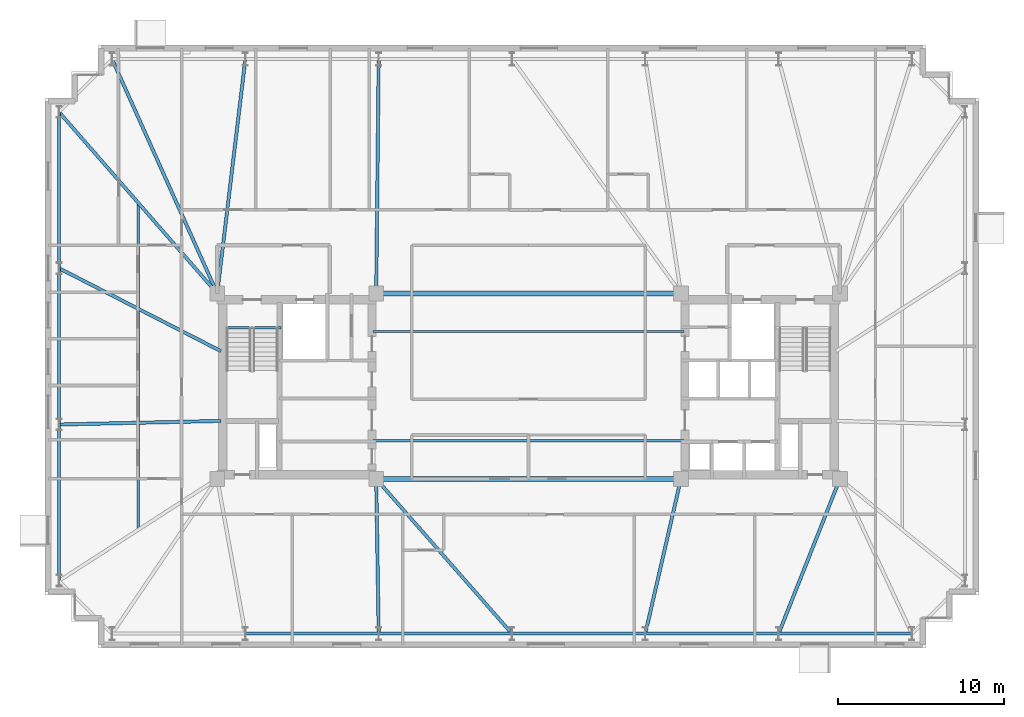
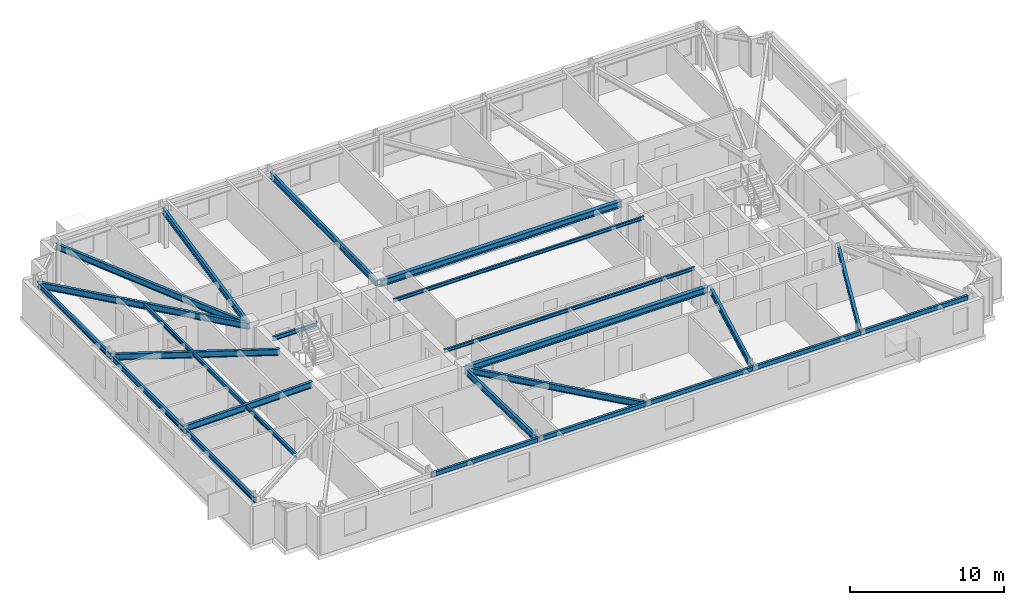
# One storey, part 4 of 17: 24 beams.
"""IFC4 building model written with IfcOpenShell, lengths in metres."""

from ifc_helpers import new_model, si_unit, direction, frame, origin, origin_2d, place, context, subcontext, project, spatial, i_section, extrude, material, material_profile, profile_set, type_object, element, save


model = new_model("IFC4")

# Units and contexts
model_context = context("Model", 3, precision=1e-05, world=origin(), true_north=direction((0.0, 1.0)))
body_context = subcontext(model_context, "Body", "Model", "MODEL_VIEW")
ifc_project = project(units=[si_unit("LENGTHUNIT", "METRE"), si_unit("AREAUNIT", "SQUARE_METRE"), si_unit("VOLUMEUNIT", "CUBIC_METRE"), si_unit("PLANEANGLEUNIT", "RADIAN"), si_unit("MASSUNIT", "GRAM", prefix="KILO")], contexts=[model_context])

# Site, building, storey
site_placement = place(None, origin())
site = spatial("IfcSite", under=ifc_project, at=site_placement, CompositionType="ELEMENT")
building_placement = place(site_placement, origin())
building = spatial("IfcBuilding", under=site, at=building_placement, Name="Qobustan Lattice House", CompositionType="ELEMENT")
storey_placement = place(building_placement, frame((0.0, 0.0, 171.199951171875)))
storey = spatial("IfcBuildingStorey", under=building, at=storey_placement, Name="L48", CompositionType="ELEMENT", Elevation=171.199951171875)

# Beams
ifc_material_1 = material(Name="Steel S355", Category="steel")
ifc_material_profile_1 = material_profile(ifc_material_1, i_section(OverallWidth=0.300048828125, OverallDepth=0.5, WebThickness=0.014404296875, FlangeThickness=0.028076171875, FilletRadius=0.027099609375, at=origin_2d()), Name="HEB500")
ifc_profile_set_1 = profile_set([ifc_material_profile_1], Name="Steel S355")
beam_type_1 = type_object("IfcBeamType", Name="BM-CG-HEB500", PredefinedType="USERDEFINED", material=ifc_profile_set_1)
for number, where, z_axis, x_axis, name in (
    (1, (-9.050048828125, -5.60009765625, 2.75), (1.0, 0.0, 0.0), (0.0, 1.0, 0.0), "L48 core spine girder CG-CS"),
    (2, (-9.050048828125, 5.60009765625, 2.75), (1.0, 0.0, 0.0), (0.0, 1.0, 0.0), "L48 core spine girder CG-CN"),
):
    element("IfcBeam", number, at=place(storey_placement, frame(where, z_axis=z_axis, x_axis=x_axis)), inside=storey, type_object=beam_type_1, Name=name, ObjectType="GIRDER", PredefinedType="USERDEFINED", context=body_context, shape_type="SweptSolid", body=[
        extrude(i_section(OverallWidth=0.300048828125, OverallDepth=0.5, WebThickness=0.014404296875, FlangeThickness=0.028076171875, FilletRadius=0.027099609375, at=origin_2d()), origin(), (0.0, 0.0, 1.0), 18.10009765625),
    ])
ifc_material_2 = material(Name="Steel S355", Category="steel")
ifc_material_profile_2 = material_profile(ifc_material_2, i_section(OverallWidth=0.199951171875, OverallDepth=0.5, WebThickness=0.01025390625, FlangeThickness=0.01611328125, FilletRadius=0.02099609375, at=origin_2d()), Name="IPE500")
ifc_profile_set_2 = profile_set([ifc_material_profile_2], Name="Steel S355")
beam_type_2 = type_object("IfcBeamType", Name="BM-FLG-IPE500", PredefinedType="USERDEFINED", material=ifc_profile_set_2)
beam_1_placement = place(storey_placement, frame((-9.05029296875, -14.925048828125, 2.75), z_axis=(-0.016063870849, 0.999870967702, 0.0), x_axis=(-0.999870967702, -0.016063870849, 0.0)))
element("IfcBeam", 3, at=beam_1_placement, inside=storey, type_object=beam_type_2, Name="L48 primary floor girder RAD-S3", ObjectType="GIRDER", PredefinedType="USERDEFINED", context=body_context, shape_type="SweptSolid", body=[
    extrude(i_section(OverallWidth=0.199951171875, OverallDepth=0.5, WebThickness=0.01025390625, FlangeThickness=0.01611328125, FilletRadius=0.02099609375, at=origin_2d()), origin(), (0.0, 0.0, 1.0), 9.30126953125),
])
beam_2_placement = place(storey_placement, frame((-1.0166015625, -14.93115234375, 2.75), z_axis=(-0.659362380156, 0.751825279992, 0.0), x_axis=(-0.751825279992, -0.659362380156, 0.0)))
element("IfcBeam", 4, at=beam_2_placement, inside=storey, type_object=beam_type_2, Name="L48 primary floor girder RAD-S4", ObjectType="GIRDER", PredefinedType="USERDEFINED", context=body_context, shape_type="SweptSolid", body=[
    extrude(i_section(OverallWidth=0.199951171875, OverallDepth=0.5, WebThickness=0.01025390625, FlangeThickness=0.01611328125, FilletRadius=0.02099609375, at=origin_2d()), origin(), (0.0, 0.0, 1.0), 12.38623046875),
])
beam_3_placement = place(storey_placement, frame((7.0556640625, -14.925537109375, 2.75), z_axis=(0.224091568854, 0.974568093449, 0.0), x_axis=(-0.974568093449, 0.224091568854, 0.0)))
element("IfcBeam", 5, at=beam_3_placement, inside=storey, type_object=beam_type_2, Name="L48 primary floor girder RAD-S5", ObjectType="GIRDER", PredefinedType="USERDEFINED", context=body_context, shape_type="SweptSolid", body=[
    extrude(i_section(OverallWidth=0.199951171875, OverallDepth=0.5, WebThickness=0.01025390625, FlangeThickness=0.01611328125, FilletRadius=0.02099609375, at=origin_2d()), origin(), (0.0, 0.0, 1.0), 9.543701171875),
])
beam_4_placement = place(storey_placement, frame((15.109130859375, -14.9267578125, 2.75), z_axis=(0.367963628184, 0.929840184297, 0.0), x_axis=(-0.929840184297, 0.367963628184, 0.0)))
element("IfcBeam", 6, at=beam_4_placement, inside=storey, type_object=beam_type_2, Name="L48 primary floor girder RAD-S6", ObjectType="GIRDER", PredefinedType="USERDEFINED", context=body_context, shape_type="SweptSolid", body=[
    extrude(i_section(OverallWidth=0.199951171875, OverallDepth=0.5, WebThickness=0.01025390625, FlangeThickness=0.01611328125, FilletRadius=0.02099609375, at=origin_2d()), origin(), (0.0, 0.0, 1.0), 10.00537109375),
])
beam_5_placement = place(storey_placement, frame((-25.139892578125, 19.727294921875, 2.75), z_axis=(0.409426782108, -0.912342978321, 0.0), x_axis=(0.912342978321, 0.409426782108, 0.0)))
element("IfcBeam", 7, at=beam_5_placement, inside=storey, type_object=beam_type_2, Name="L48 primary floor girder RAD-N7W", ObjectType="GIRDER", PredefinedType="USERDEFINED", context=body_context, shape_type="SweptSolid", body=[
    extrude(i_section(OverallWidth=0.199951171875, OverallDepth=0.5, WebThickness=0.01025390625, FlangeThickness=0.01611328125, FilletRadius=0.02099609375, at=origin_2d()), origin(), (0.0, 0.0, 1.0), 15.459716796875),
])
beam_6_placement = place(storey_placement, frame((-17.10302734375, 19.72509765625, 2.75), z_axis=(-0.119287572963, -0.992859745854, 0.0), x_axis=(0.992859745854, -0.119287572963, 0.0)))
element("IfcBeam", 8, at=beam_6_placement, inside=storey, type_object=beam_type_2, Name="L48 primary floor girder RAD-N6", ObjectType="GIRDER", PredefinedType="USERDEFINED", context=body_context, shape_type="SweptSolid", body=[
    extrude(i_section(OverallWidth=0.199951171875, OverallDepth=0.5, WebThickness=0.01025390625, FlangeThickness=0.01611328125, FilletRadius=0.02099609375, at=origin_2d()), origin(), (0.0, 0.0, 1.0), 14.20166015625),
])
beam_7_placement = place(storey_placement, frame((-9.05029296875, 19.72509765625, 2.75), z_axis=(-0.010596073732, -0.999943860035, 0.0), x_axis=(0.999943860035, -0.010596073732, 0.0)))
element("IfcBeam", 9, at=beam_7_placement, inside=storey, type_object=beam_type_2, Name="L48 primary floor girder RAD-N5", ObjectType="GIRDER", PredefinedType="USERDEFINED", context=body_context, shape_type="SweptSolid", body=[
    extrude(i_section(OverallWidth=0.199951171875, OverallDepth=0.5, WebThickness=0.01025390625, FlangeThickness=0.01611328125, FilletRadius=0.02099609375, at=origin_2d()), origin(), (0.0, 0.0, 1.0), 14.100830078125),
])
beam_8_placement = place(storey_placement, frame((-28.33349609375, 16.53125, 2.75), z_axis=(0.657282573618, -0.75364422536, 0.0), x_axis=(0.75364422536, 0.657282573618, 0.0)))
element("IfcBeam", 10, at=beam_8_placement, inside=storey, type_object=beam_type_2, Name="L48 primary floor girder RAD-W1", ObjectType="GIRDER", PredefinedType="USERDEFINED", context=body_context, shape_type="SweptSolid", body=[
    extrude(i_section(OverallWidth=0.199951171875, OverallDepth=0.5, WebThickness=0.01025390625, FlangeThickness=0.01611328125, FilletRadius=0.02099609375, at=origin_2d()), origin(), (0.0, 0.0, 1.0), 14.4794921875),
])
beam_9_placement = place(storey_placement, frame((-28.32763671875, 7.105224609375, 2.75), z_axis=(0.89014541584, -0.455676572426, 0.0), x_axis=(0.455676572426, 0.89014541584, 0.0)))
element("IfcBeam", 11, at=beam_9_placement, inside=storey, type_object=beam_type_2, Name="L48 primary floor girder RAD-W2", ObjectType="GIRDER", PredefinedType="USERDEFINED", context=body_context, shape_type="SweptSolid", body=[
    extrude(i_section(OverallWidth=0.199951171875, OverallDepth=0.5, WebThickness=0.01025390625, FlangeThickness=0.01611328125, FilletRadius=0.02099609375, at=origin_2d()), origin(), (0.0, 0.0, 1.0), 10.959228515625),
])
beam_10_placement = place(storey_placement, frame((-28.324951171875, -2.316162109375, 2.75), z_axis=(0.999755655209, 0.022104974047, 0.0), x_axis=(-0.022104974047, 0.999755655209, 0.0)))
element("IfcBeam", 12, at=beam_10_placement, inside=storey, type_object=beam_type_2, Name="L48 primary floor girder RAD-W3", ObjectType="GIRDER", PredefinedType="USERDEFINED", context=body_context, shape_type="SweptSolid", body=[
    extrude(i_section(OverallWidth=0.199951171875, OverallDepth=0.5, WebThickness=0.01025390625, FlangeThickness=0.01611328125, FilletRadius=0.02099609375, at=origin_2d()), origin(), (0.0, 0.0, 1.0), 9.75244140625),
])
ifc_material_3 = material(Name="Steel S355", Category="steel")
ifc_material_profile_3 = material_profile(ifc_material_3, i_section(OverallWidth=0.135009765625, OverallDepth=0.27001953125, WebThickness=0.006591796875, FlangeThickness=0.01025390625, FilletRadius=0.014892578125, at=origin_2d()), Name="IPE270")
ifc_profile_set_3 = profile_set([ifc_material_profile_3], Name="Steel S355")
beam_type_3 = type_object("IfcBeamType", Name="BM-JST-IPE270", PredefinedType="JOIST", material=ifc_profile_set_3)
for number, where, z_axis, x_axis, name in (
    (13, (-9.39990234375, -3.300048828125, 2.864990234375), (1.0, 0.0, 0.0), (0.0, 1.0, 0.0), "L48 central span floor joist 1"),
    (14, (-9.39990234375, 3.300048828125, 2.864990234375), (1.0, 0.0, 0.0), (0.0, 1.0, 0.0), "L48 central span floor joist 2"),
):
    element("IfcBeam", number, at=place(storey_placement, frame(where, z_axis=z_axis, x_axis=x_axis)), inside=storey, type_object=beam_type_3, Name=name, PredefinedType="JOIST", context=body_context, shape_type="SweptSolid", body=[
        extrude(i_section(OverallWidth=0.135009765625, OverallDepth=0.27001953125, WebThickness=0.006591796875, FlangeThickness=0.01025390625, FilletRadius=0.014892578125, at=origin_2d()), origin(), (0.0, 0.0, 1.0), 18.7998046875),
    ])
ifc_material_4 = material(Name="Steel S355", Category="steel")
ifc_material_profile_4 = material_profile(ifc_material_4, i_section(OverallWidth=0.159912109375, OverallDepth=0.330078125, WebThickness=0.007568359375, FlangeThickness=0.011474609375, FilletRadius=0.01806640625, at=origin_2d()), Name="IPE330")
ifc_profile_set_4 = profile_set([ifc_material_profile_4], Name="Steel S355")
beam_type_4 = type_object("IfcBeamType", Name="BM-SEC-IPE330", PredefinedType="BEAM", material=ifc_profile_set_4)
beam_11_placement = place(storey_placement, frame((-23.574951171875, 11.074951171875, 2.8349609375), z_axis=(0.0, -1.0, 0.0), x_axis=(1.0, 0.0, 0.0)))
element("IfcBeam", 15, at=beam_11_placement, inside=storey, type_object=beam_type_4, Name="L48 west wing secondary beam", PredefinedType="BEAM", context=body_context, shape_type="SweptSolid", body=[
    extrude(i_section(OverallWidth=0.159912109375, OverallDepth=0.330078125, WebThickness=0.007568359375, FlangeThickness=0.011474609375, FilletRadius=0.01806640625, at=origin_2d()), origin(), (0.0, 0.0, 1.0), 19.75),
])
ifc_material_5 = material(Name="Steel S355", Category="steel")
ifc_material_profile_5 = material_profile(ifc_material_5, i_section(OverallWidth=0.159912109375, OverallDepth=0.330078125, WebThickness=0.007568359375, FlangeThickness=0.011474609375, FilletRadius=0.01806640625, at=origin_2d()), Name="IPE330")
ifc_profile_set_5 = profile_set([ifc_material_profile_5], Name="Steel S355")
beam_type_5 = type_object("IfcBeamType", Name="BM-SPD-IPE330", PredefinedType="SPANDREL", material=ifc_profile_set_5)
beam_12_placement = place(storey_placement, frame((-18.300048828125, 3.52001953125, 2.8349609375), z_axis=(1.0, 0.0, 0.0), x_axis=(0.0, 1.0, 0.0)))
element("IfcBeam", 16, at=beam_12_placement, inside=storey, type_object=beam_type_5, Name="L48 west stair landing trimmer beam", PredefinedType="SPANDREL", context=body_context, shape_type="SweptSolid", body=[
    extrude(i_section(OverallWidth=0.159912109375, OverallDepth=0.330078125, WebThickness=0.007568359375, FlangeThickness=0.011474609375, FilletRadius=0.01806640625, at=origin_2d()), origin(), (0.0, 0.0, 1.0), 3.35009765625),
])
ifc_material_6 = material(Name="Steel S355", Category="steel")
ifc_material_profile_6 = material_profile(ifc_material_6, i_section(OverallWidth=0.179931640625, OverallDepth=0.39990234375, WebThickness=0.008544921875, FlangeThickness=0.013427734375, FilletRadius=0.02099609375, at=origin_2d()), Name="IPE400")
ifc_profile_set_6 = profile_set([ifc_material_profile_6], Name="Steel S355")
beam_type_6 = type_object("IfcBeamType", Name="BM-SPD-IPE400", PredefinedType="SPANDREL", material=ifc_profile_set_6)
for number, where, z_axis, x_axis, name in (
    (17, (-17.074951171875, -14.949951171875, 2.800048828125), (1.0, 0.0, 0.0), (0.0, 1.0, 0.0), "L48 perimeter spandrel S2-S3"),
    (18, (-9.02490234375, -14.949951171875, 2.800048828125), (1.0, 0.0, 0.0), (0.0, 1.0, 0.0), "L48 perimeter spandrel S3-S4"),
    (19, (-0.97509765625, -14.949951171875, 2.800048828125), (1.0, 0.0, 0.0), (0.0, 1.0, 0.0), "L48 perimeter spandrel S4-S5"),
    (20, (7.074951171875, -14.949951171875, 2.800048828125), (1.0, 0.0, 0.0), (0.0, 1.0, 0.0), "L48 perimeter spandrel S5-S6"),
    (21, (15.125, -14.949951171875, 2.800048828125), (1.0, 0.0, 0.0), (0.0, 1.0, 0.0), "L48 perimeter spandrel S6-S7"),
):
    element("IfcBeam", number, at=place(storey_placement, frame(where, z_axis=z_axis, x_axis=x_axis)), inside=storey, type_object=beam_type_6, Name=name, PredefinedType="SPANDREL", context=body_context, shape_type="SweptSolid", body=[
        extrude(i_section(OverallWidth=0.179931640625, OverallDepth=0.39990234375, WebThickness=0.008544921875, FlangeThickness=0.013427734375, FilletRadius=0.02099609375, at=origin_2d()), origin(), (0.0, 0.0, 1.0), 8.0),
    ])
beam_13_placement = place(storey_placement, frame((-28.35009765625, 16.52490234375, 2.800048828125), z_axis=(0.0, -1.0, 0.0), x_axis=(1.0, 0.0, 0.0)))
element("IfcBeam", 22, at=beam_13_placement, inside=storey, type_object=beam_type_6, Name="L48 perimeter spandrel W1-W2", PredefinedType="SPANDREL", context=body_context, shape_type="SweptSolid", body=[
    extrude(i_section(OverallWidth=0.179931640625, OverallDepth=0.39990234375, WebThickness=0.008544921875, FlangeThickness=0.013427734375, FilletRadius=0.02099609375, at=origin_2d()), origin(), (0.0, 0.0, 1.0), 9.38330078125),
])
beam_14_placement = place(storey_placement, frame((-28.35009765625, 7.091796875, 2.800048828125), z_axis=(0.0, -1.0, 0.0), x_axis=(1.0, 0.0, 0.0)))
element("IfcBeam", 23, at=beam_14_placement, inside=storey, type_object=beam_type_6, Name="L48 perimeter spandrel W2-W3", PredefinedType="SPANDREL", context=body_context, shape_type="SweptSolid", body=[
    extrude(i_section(OverallWidth=0.179931640625, OverallDepth=0.39990234375, WebThickness=0.008544921875, FlangeThickness=0.013427734375, FilletRadius=0.02099609375, at=origin_2d()), origin(), (0.0, 0.0, 1.0), 9.383544921875),
])
beam_15_placement = place(storey_placement, frame((-28.35009765625, -2.341796875, 2.800048828125), z_axis=(0.0, -1.0, 0.0), x_axis=(1.0, 0.0, 0.0)))
element("IfcBeam", 24, at=beam_15_placement, inside=storey, type_object=beam_type_6, Name="L48 perimeter spandrel W3-W4", PredefinedType="SPANDREL", context=body_context, shape_type="SweptSolid", body=[
    extrude(i_section(OverallWidth=0.179931640625, OverallDepth=0.39990234375, WebThickness=0.008544921875, FlangeThickness=0.013427734375, FilletRadius=0.02099609375, at=origin_2d()), origin(), (0.0, 0.0, 1.0), 9.38330078125),
])

save(model, "model.ifc")
